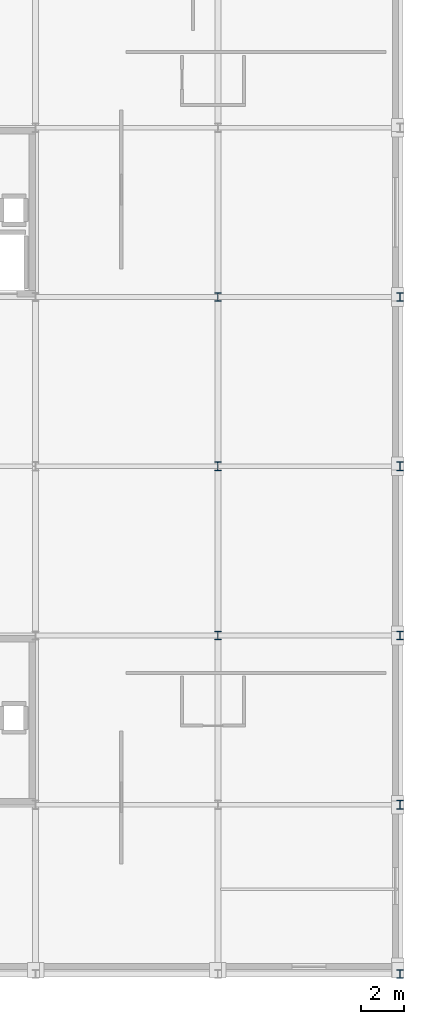
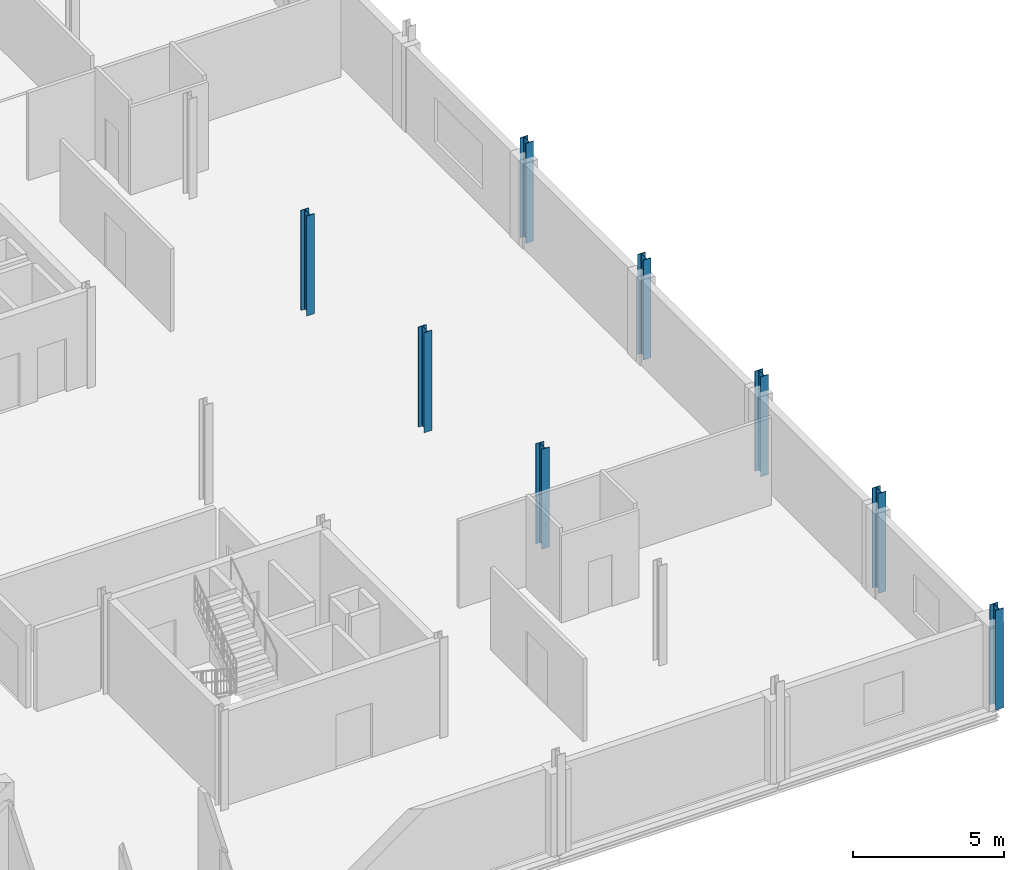
# One storey, part 2 of 16: 8 columns.
"""IFC4 building model written with IfcOpenShell, lengths in metres."""

from ifc_helpers import new_model, si_unit, direction, frame, origin, origin_2d, place, context, subcontext, project, spatial, i_section, extrude, material, material_profile, profile_set, type_object, element, save


model = new_model("IFC4")

# Units and contexts
model_context = context("Model", 3, precision=1e-05, world=origin(), true_north=direction((0.0, 1.0)))
body_context = subcontext(model_context, "Body", "Model", "MODEL_VIEW")
ifc_project = project(units=[si_unit("LENGTHUNIT", "METRE"), si_unit("AREAUNIT", "SQUARE_METRE"), si_unit("VOLUMEUNIT", "CUBIC_METRE"), si_unit("PLANEANGLEUNIT", "RADIAN"), si_unit("MASSUNIT", "GRAM", prefix="KILO")], contexts=[model_context])

# Site, building, storey
site_placement = place(None, origin())
site = spatial("IfcSite", under=ifc_project, at=site_placement, CompositionType="ELEMENT")
building_placement = place(site_placement, origin())
building = spatial("IfcBuilding", under=site, at=building_placement, Name="Nabrawat Pavilion Hospital", CompositionType="ELEMENT")
storey_placement = place(building_placement, frame((0.0, 0.0, 31.050048828125)))
storey = spatial("IfcBuildingStorey", under=building, at=storey_placement, Name="L07", CompositionType="ELEMENT", Elevation=31.050048828125)

# Columns
ifc_material = material(Name="Steel S355", Category="steel")
ifc_material_profile = material_profile(ifc_material, i_section(OverallWidth=0.300048828125, OverallDepth=0.39990234375, WebThickness=0.013427734375, FlangeThickness=0.02392578125, FilletRadius=0.027099609375, at=origin_2d()), Name="HEB 400")
ifc_profile_set = profile_set([ifc_material_profile], Name="Steel S355")
column_type = type_object("IfcColumnType", Name="Composite Steel Column HEB 400", PredefinedType="COLUMN", material=ifc_profile_set)
for number, where, z_axis, x_axis, name in (
    (1, (184.800048828125, 54.60009765625, 0.0), (0.0, 0.0, 1.0), (1.0, 0.0, 0.0), "L07 Structural Column G-23-H"),
    (2, (184.800048828125, 62.39990234375, 0.0), (0.0, 0.0, 1.0), (1.0, 0.0, 0.0), "L07 Structural Column G-23-J"),
    (3, (184.800048828125, 70.199951171875, 0.0), (0.0, 0.0, 1.0), (1.0, 0.0, 0.0), "L07 Structural Column G-23-K"),
    (4, (193.199951171875, 39.0, 0.0), (0.0, 0.0, 1.0), (1.0, 0.0, 0.0), "L07 Structural Column G-24-F1"),
    (5, (193.199951171875, 46.800048828125, 0.0), (0.0, 0.0, 1.0), (1.0, 0.0, 0.0), "L07 Structural Column G-24-G"),
    (6, (193.199951171875, 54.60009765625, 0.0), (0.0, 0.0, 1.0), (1.0, 0.0, 0.0), "L07 Structural Column G-24-H"),
    (7, (193.199951171875, 62.39990234375, 0.0), (0.0, 0.0, 1.0), (1.0, 0.0, 0.0), "L07 Structural Column G-24-J"),
    (8, (193.199951171875, 70.199951171875, 0.0), (0.0, 0.0, 1.0), (1.0, 0.0, 0.0), "L07 Structural Column G-24-K"),
):
    element("IfcColumn", number, at=place(storey_placement, frame(where, z_axis=z_axis, x_axis=x_axis)), inside=storey, type_object=column_type, Name=name, PredefinedType="COLUMN", context=body_context, shape_type="SweptSolid", body=[
        extrude(i_section(OverallWidth=0.300048828125, OverallDepth=0.39990234375, WebThickness=0.013427734375, FlangeThickness=0.02392578125, FilletRadius=0.027099609375, at=origin_2d()), origin(), (0.0, 0.0, 1.0), 4.050048828125),
    ])

save(model, "model.ifc")
